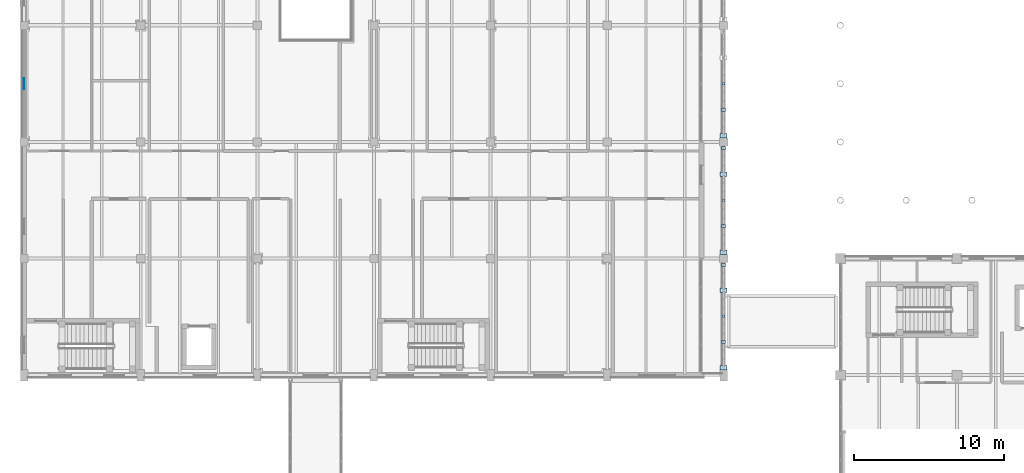
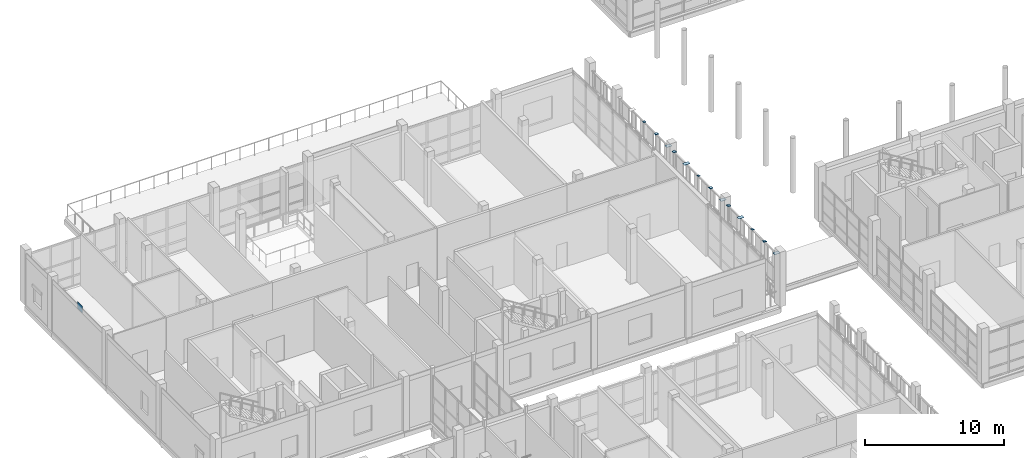
# One storey, part 92 of 138: 14 plates.
"""IFC4 building model written with IfcOpenShell, lengths in metres."""

from ifc_helpers import new_model, si_unit, direction, frame, origin, origin_2d, place, context, subcontext, project, spatial, rectangle, extrude, material, layer, layer_set, type_object, element, save


model = new_model("IFC4")

# Units and contexts
model_context = context("Model", 3, precision=1e-05, world=origin(), true_north=direction((0.0, 1.0)))
body_context = subcontext(model_context, "Body", "Model", "MODEL_VIEW")
ifc_project = project(units=[si_unit("LENGTHUNIT", "METRE"), si_unit("AREAUNIT", "SQUARE_METRE"), si_unit("VOLUMEUNIT", "CUBIC_METRE"), si_unit("PLANEANGLEUNIT", "RADIAN"), si_unit("MASSUNIT", "GRAM", prefix="KILO")], contexts=[model_context])

# Site, building, storey
site_placement = place(None, origin())
site = spatial("IfcSite", under=ifc_project, at=site_placement, CompositionType="ELEMENT")
building_placement = place(site_placement, origin())
building = spatial("IfcBuilding", under=site, at=building_placement, Name="Celorna Specialist Clinic", CompositionType="ELEMENT")
storey_placement = place(building_placement, frame((0.0, 0.0, 4.800048828125)))
storey = spatial("IfcBuildingStorey", under=building, at=storey_placement, Name="L01", CompositionType="ELEMENT", Elevation=4.800048828125)

# Plates
ifc_material = material(Name="Steel S355", Category="steel")
ifc_layer_1 = layer(ifc_material, 0.011962890625, Name="Steel S355")
ifc_layer_set_1 = layer_set([ifc_layer_1], Name="Steel S355")
plate_type_1 = type_object("IfcPlateType", Name="EP-06", PredefinedType="SHEET", material=ifc_layer_set_1)
for number, where, z_axis, x_axis, name in (
    (1, (46.780029296875, 39.050048828125, 4.14013671875), (0.0, 0.0, 1.0), (0.0, 1.0, 0.0), "Screen post cap plate EP-06 #1467"),
    (2, (46.780029296875, 46.800048828125, 4.14013671875), (0.0, 0.0, 1.0), (0.0, 1.0, 0.0), "Screen post cap plate EP-06 #1488"),
    (3, (46.780029296875, 54.60009765625, 4.14013671875), (0.0, 0.0, 1.0), (0.0, 1.0, 0.0), "Screen post cap plate EP-06 #1509"),
):
    element("IfcPlate", number, at=place(storey_placement, frame(where, z_axis=z_axis, x_axis=x_axis)), inside=storey, type_object=plate_type_1, Name=name, PredefinedType="SHEET", context=body_context, shape_type="SweptSolid", body=[
        extrude(rectangle(XDim=0.179931640625, YDim=0.179931640625, at=origin_2d()), origin(), (0.0, 0.0, 1.0), 0.011962890625),
    ])
ifc_layer_2 = layer(ifc_material, 0.01611328125, Name="Steel S355")
ifc_layer_set_2 = layer_set([ifc_layer_2], Name="Steel S355")
plate_type_2 = type_object("IfcPlateType", Name="EP-07", PredefinedType="SHEET", material=ifc_layer_set_2)
for number, where, z_axis, x_axis, name in (
    (4, (46.780029296875, 35.614990234375, 4.139892578125), (0.0, 0.0, 1.0), (0.0, 1.0, 0.0), "Screen post cap plate EP-07 #1465"),
    (5, (46.780029296875, 40.767578125, 4.139892578125), (0.0, 0.0, 1.0), (0.0, 1.0, 0.0), "Screen post cap plate EP-07 #1468"),
    (6, (46.780029296875, 43.31494140625, 4.139892578125), (0.0, 0.0, 1.0), (0.0, 1.0, 0.0), "Screen post cap plate EP-07 #1486"),
    (7, (46.780029296875, 48.54248046875, 4.139892578125), (0.0, 0.0, 1.0), (0.0, 1.0, 0.0), "Screen post cap plate EP-07 #1489"),
    (8, (46.780029296875, 51.114990234375, 4.139892578125), (0.0, 0.0, 1.0), (0.0, 1.0, 0.0), "Screen post cap plate EP-07 #1507"),
):
    element("IfcPlate", number, at=place(storey_placement, frame(where, z_axis=z_axis, x_axis=x_axis)), inside=storey, type_object=plate_type_2, Name=name, PredefinedType="SHEET", context=body_context, shape_type="SweptSolid", body=[
        extrude(rectangle(XDim=0.300048828125, YDim=0.43994140625, at=origin_2d()), origin(), (0.0, 0.0, 1.0), 0.01611328125),
    ])
ifc_layer_3 = layer(ifc_material, 0.013916015625, Name="Steel S355")
ifc_layer_set_3 = layer_set([ifc_layer_3], Name="Steel S355")
plate_type_3 = type_object("IfcPlateType", Name="EP-08", PredefinedType="SHEET", material=ifc_layer_set_3)
for number, where, z_axis, x_axis, name in (
    (9, (46.780029296875, 37.33251953125, 4.14013671875), (0.0, 0.0, 1.0), (0.0, 1.0, 0.0), "Screen post cap plate EP-08 #1466"),
    (10, (46.780029296875, 42.485107421875, 4.14013671875), (0.0, 0.0, 1.0), (0.0, 1.0, 0.0), "Screen post cap plate EP-08 #1469"),
    (11, (46.780029296875, 45.0576171875, 4.14013671875), (0.0, 0.0, 1.0), (0.0, 1.0, 0.0), "Screen post cap plate EP-08 #1487"),
    (12, (46.780029296875, 50.284912109375, 4.14013671875), (0.0, 0.0, 1.0), (0.0, 1.0, 0.0), "Screen post cap plate EP-08 #1490"),
    (13, (46.780029296875, 52.857421875, 4.14013671875), (0.0, 0.0, 1.0), (0.0, 1.0, 0.0), "Screen post cap plate EP-08 #1508"),
):
    element("IfcPlate", number, at=place(storey_placement, frame(where, z_axis=z_axis, x_axis=x_axis)), inside=storey, type_object=plate_type_3, Name=name, PredefinedType="SHEET", context=body_context, shape_type="SweptSolid", body=[
        extrude(rectangle(XDim=0.239990234375, YDim=0.239990234375, at=origin_2d()), origin(), (0.0, 0.0, 1.0), 0.013916015625),
    ])
ifc_layer_4 = layer(ifc_material, 0.02490234375, Name="Steel S355")
ifc_layer_set_4 = layer_set([ifc_layer_4], Name="Steel S355")
plate_type_4 = type_object("IfcPlateType", Name="GP-02", PredefinedType="USERDEFINED", material=ifc_layer_set_4)
plate_placement = place(storey_placement, frame((0.0, 54.60009765625, 3.969970703125), z_axis=(0.0, 0.0, 1.0), x_axis=(0.0, 1.0, 0.0)))
element("IfcPlate", 14, at=plate_placement, inside=storey, type_object=plate_type_4, Name="Chevron apex gusset plate GP-02 #79", ObjectType="GUSSET PLATE", PredefinedType="USERDEFINED", context=body_context, shape_type="SweptSolid", body=[
    extrude(rectangle(XDim=0.719970703125, YDim=0.02490234375, at=origin_2d()), origin(), (0.0, 0.0, 1.0), 0.56005859375),
])

save(model, "model.ifc")
